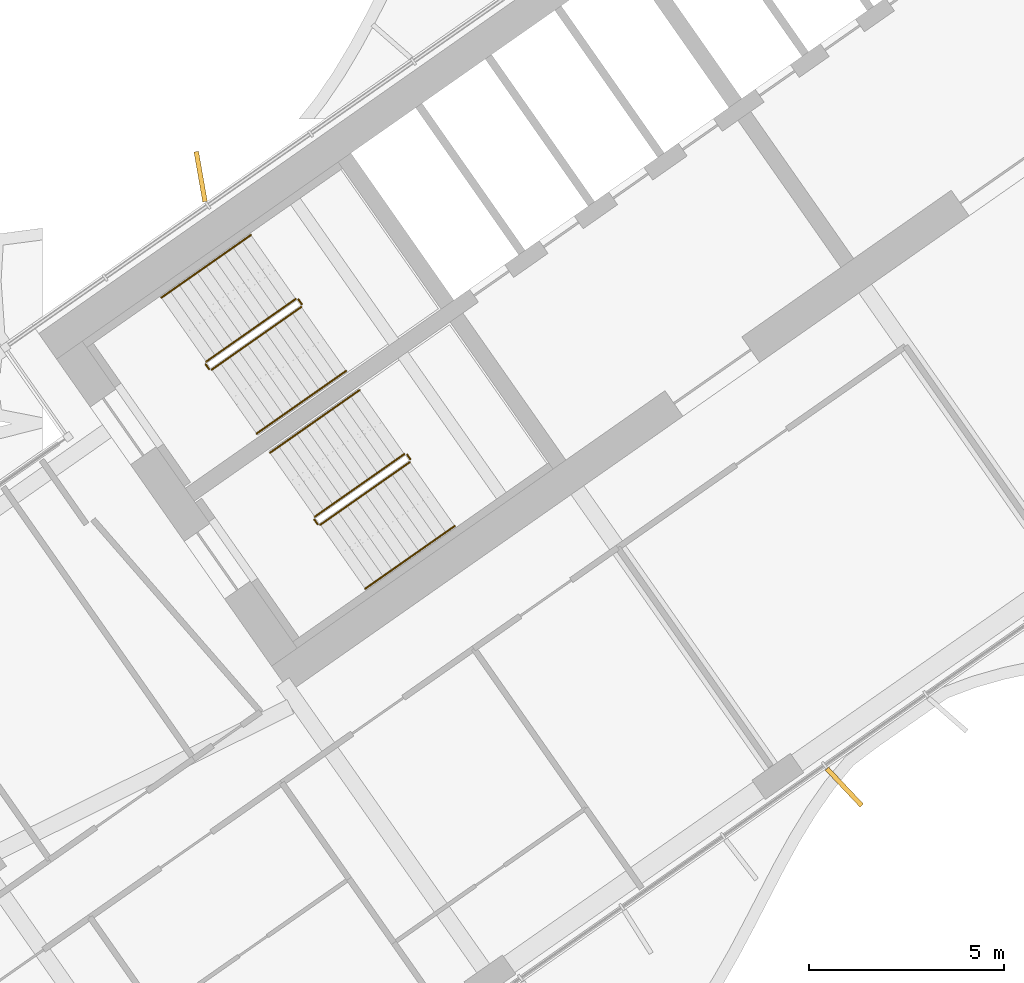
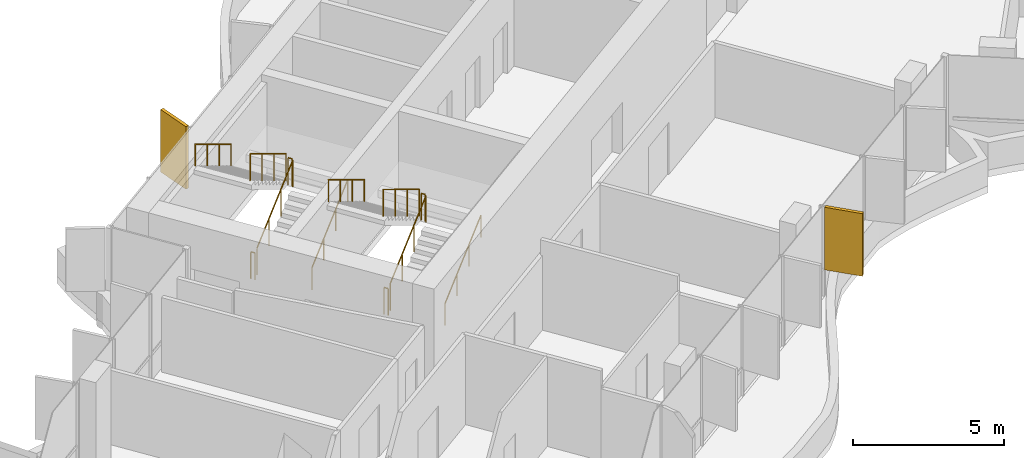
# One storey, part 18 of 21: 12 railings, 2 shading devices.
"""IFC4 building model written with IfcOpenShell, lengths in metres."""

import ifcopenshell
import ifcopenshell.guid

model = None  # the IFC model being written
_history = None  # IfcOwnerHistory: only IFC2X3 demands one
_inside = {}  # id of a spatial element -> (the spatial element, [elements in it])
_under = {}  # id of a project, library or spatial element -> (it, [spatial elements below it])
_declared = {}  # id of a project -> (the project, [libraries it declares])
_typed = {}  # id of a type object -> (the type object, [elements of that type])
_made_of = {}  # id of a material, layer set ... -> (it, [elements and type objects made of it])


def new_model(schema):
    """Start an empty IFC model of exactly this schema.

    Asked for "IFC4X3", IfcOpenShell would pick the latest addendum, in which some entities
    have other attributes; the version numbers below select the first issue.
    IFC2X3 requires an IfcOwnerHistory on every rooted entity: one is made here for all.
    """
    global model, _history
    if schema == "IFC4X3":
        model = ifcopenshell.file(schema_version=(4, 3, 0, 0))
    else:
        model = ifcopenshell.file(schema=schema)
    _inside.clear()
    _under.clear()
    _declared.clear()
    _typed.clear()
    _made_of.clear()
    _history = None
    if model.schema == "IFC2X3":
        org = make("IfcOrganization", Name="unknown")
        user = make(
            "IfcPersonAndOrganization",
            ThePerson=make("IfcPerson", FamilyName="unknown"),
            TheOrganization=org,
        )
        app = make(
            "IfcApplication",
            ApplicationDeveloper=org,
            Version="unknown",
            ApplicationFullName="unknown",
            ApplicationIdentifier="unknown",
        )
        _history = make(
            "IfcOwnerHistory",
            OwningUser=user,
            OwningApplication=app,
            ChangeAction="ADDED",
            CreationDate=0,
        )
    return model


def make(cls, **values):
    """One entity of the class cls with the attributes given. An attribute that is None is left unset."""
    return model.create_entity(
        cls, **{name: value for name, value in values.items() if value is not None}
    )


def rooted(cls, **values):
    """An entity with a GlobalId (a new one), such as an element, a storey or a relation."""
    return make(cls, GlobalId=ifcopenshell.guid.new(), OwnerHistory=_history, **values)


def si_unit(unit_type, name, prefix=None):
    """IfcSIUnit, for example si_unit("LENGTHUNIT", "METRE", prefix="MILLI")."""
    return make("IfcSIUnit", UnitType=unit_type, Prefix=prefix, Name=name)


def assignment(units):
    """IfcUnitAssignment: the units of a project."""
    return None if units is None else make("IfcUnitAssignment", Units=units)


def point(xyz):
    """IfcCartesianPoint."""
    return None if xyz is None else make("IfcCartesianPoint", Coordinates=xyz)


def direction(xyz):
    """IfcDirection."""
    return None if xyz is None else make("IfcDirection", DirectionRatios=xyz)


def frame(location, z_axis=None, x_axis=None):
    """IfcAxis2Placement3D, a coordinate frame: its origin and axes. An axis left out is left unset."""
    return make(
        "IfcAxis2Placement3D",
        Location=point(location),
        Axis=direction(z_axis),
        RefDirection=direction(x_axis),
    )


def frame_2d(location, x_axis=None):
    """IfcAxis2Placement2D, a coordinate frame in the plane: its origin and x axis."""
    return make(
        "IfcAxis2Placement2D", Location=point(location), RefDirection=direction(x_axis)
    )


def origin():
    """The frame at (0, 0, 0) with its axes left unset."""
    return frame((0.0, 0.0, 0.0))


def origin_2d():
    """The frame at (0, 0) in the plane with its x axis left unset."""
    return frame_2d((0.0, 0.0))


def place(relative_to, where):
    """IfcLocalPlacement: puts the frame where relative to a parent placement (None: the world)."""
    return make(
        "IfcLocalPlacement", PlacementRelTo=relative_to, RelativePlacement=where
    )


def context(
    kind, dimensions, precision=None, world=None, true_north=None, identifier=None
):
    """IfcGeometricRepresentationContext, for example the 3D "Model" context."""
    return make(
        "IfcGeometricRepresentationContext",
        ContextIdentifier=identifier,
        ContextType=kind,
        CoordinateSpaceDimension=dimensions,
        Precision=precision,
        WorldCoordinateSystem=world,
        TrueNorth=true_north,
    )


def subcontext(parent, identifier, kind, view, scale=None):
    """IfcGeometricRepresentationSubContext, for example "Body" below "Model"."""
    return make(
        "IfcGeometricRepresentationSubContext",
        ContextIdentifier=identifier,
        ContextType=kind,
        ParentContext=parent,
        TargetScale=scale,
        TargetView=view,
    )


def project(units=None, contexts=None):
    """IfcProject with its units and contexts."""
    return rooted(
        "IfcProject",
        Name="project",
        RepresentationContexts=contexts,
        UnitsInContext=assignment(units),
    )


def spatial(cls, under=None, at=None, **own):
    """A site, building, storey or space (cls), placed at a placement, below another one or the project."""
    s = rooted(cls, ObjectPlacement=at, **own)
    if under is not None:
        _under.setdefault(under.id(), (under, []))[1].append(s)
    return s


def profile(cls, at=None, kind="AREA", **sizes):
    """A parametric profile (cls). Its sizes go by their IFC names, for example OverallWidth=200.0."""
    return make(cls, ProfileType=kind, Position=at, **sizes)


def rectangle(**sizes):
    """IfcRectangleProfileDef."""
    return profile("IfcRectangleProfileDef", **sizes)


def circle(**sizes):
    """IfcCircleProfileDef."""
    return profile("IfcCircleProfileDef", **sizes)


def extrude(swept, where, along, depth):
    """IfcExtrudedAreaSolid: the profile swept, set in the frame where, extruded along a direction by depth."""
    return make(
        "IfcExtrudedAreaSolid",
        SweptArea=swept,
        Position=where,
        ExtrudedDirection=direction(along),
        Depth=depth,
    )


def shape(context_of_items, identifier, shape_type, items):
    """IfcShapeRepresentation: the items that make up one representation, for example the "Body"."""
    return make(
        "IfcShapeRepresentation",
        ContextOfItems=context_of_items,
        RepresentationIdentifier=identifier,
        RepresentationType=shape_type,
        Items=items,
    )


def material(Name=None, Category=None):
    """IfcMaterial."""
    return make("IfcMaterial", Name=Name, Category=Category)


def layer(
    of_material, thickness, ventilated=None, Name=None, Category=None, Priority=None
):
    """IfcMaterialLayer: one layer of a wall or slab, of a material (None: an air gap)."""
    return make(
        "IfcMaterialLayer",
        Material=of_material,
        LayerThickness=thickness,
        IsVentilated=ventilated,
        Name=Name,
        Category=Category,
        Priority=Priority,
    )


def layer_set(layers, Name=None):
    """IfcMaterialLayerSet."""
    return make("IfcMaterialLayerSet", MaterialLayers=layers, LayerSetName=Name)


def made_of(thing, what):
    """Note that an element or type object is made of a material, layer set ...; save() writes the relation."""
    if what is not None:
        _made_of.setdefault(what.id(), (what, []))[1].append(thing)
    return thing


def type_object(cls, material=None, **own):
    """A type object (cls), such as IfcWallType, which elements share."""
    return made_of(rooted(cls, **own), material)


def element(
    cls,
    number,
    at=None,
    inside=None,
    cuts=None,
    type_object=None,
    material=None,
    context=None,
    identifier="Body",
    shape_type=None,
    held_by="IfcProductDefinitionShape",
    body=None,
    shapes=None,
    **own,
):
    """One element of the class cls, such as IfcWall. Its Tag is "e" and its number.

    at: its placement. inside: the storey or other place that contains it. cuts: it is an
    opening in that element (IfcRelVoidsElement). A single representation is given by context,
    identifier, shape_type and body (its items); several are given by shapes. held_by: the class
    of the entity that holds the representations. save() writes the other relations.
    """
    e = rooted(cls, Tag="e%d" % number, ObjectPlacement=at, **own)
    if body is not None:
        shapes = [shape(context, identifier, shape_type, body)]
    if shapes is not None:
        e.Representation = make(held_by, Representations=shapes)
    if inside is not None:
        _inside.setdefault(inside.id(), (inside, []))[1].append(e)
    if cuts is not None:
        rooted(
            "IfcRelVoidsElement", RelatingBuildingElement=cuts, RelatedOpeningElement=e
        )
    if type_object is not None:
        _typed.setdefault(type_object.id(), (type_object, []))[1].append(e)
    return made_of(e, material)


def aggregate(whole, parts):
    """IfcRelAggregates: a whole, such as a stair, and the parts it consists of."""
    return rooted("IfcRelAggregates", RelatingObject=whole, RelatedObjects=parts)


def save(model, path):
    """Write the relations noted so far, then the file.

    IfcRelAggregates (storeys below a building ...), IfcRelContainedInSpatialStructure (elements
    in a storey), IfcRelDefinesByType, IfcRelAssociatesMaterial and IfcRelDeclares: one each for
    every whole, place, type object, material and project.
    """
    for whole, parts in _under.values():
        aggregate(whole, parts)
    for where, things in _inside.values():
        rooted(
            "IfcRelContainedInSpatialStructure",
            RelatedElements=things,
            RelatingStructure=where,
        )
    for kind, things in _typed.values():
        rooted("IfcRelDefinesByType", RelatedObjects=things, RelatingType=kind)
    for what, things in _made_of.values():
        rooted("IfcRelAssociatesMaterial", RelatedObjects=things, RelatingMaterial=what)
    for by, libraries in _declared.values():
        rooted("IfcRelDeclares", RelatingContext=by, RelatedDefinitions=libraries)
    model.write(path)


model = new_model("IFC4")

# Units and contexts
model_context = context("Model", 3, precision=1e-05, world=origin(), true_north=direction((0.0, 1.0)))
body_context = subcontext(model_context, "Body", "Model", "MODEL_VIEW")
ifc_project = project(units=[si_unit("LENGTHUNIT", "METRE"), si_unit("AREAUNIT", "SQUARE_METRE"), si_unit("VOLUMEUNIT", "CUBIC_METRE"), si_unit("PLANEANGLEUNIT", "RADIAN"), si_unit("MASSUNIT", "GRAM", prefix="KILO")], contexts=[model_context])

# Site, building, storey
site_placement = place(None, origin())
site = spatial("IfcSite", under=ifc_project, at=site_placement, CompositionType="ELEMENT")
building_placement = place(site_placement, origin())
building = spatial("IfcBuilding", under=site, at=building_placement, Name="Tel Ilan Convention Tower", CompositionType="ELEMENT")
storey_placement = place(building_placement, frame((0.0, 0.0, 139.800048828125)))
storey = spatial("IfcBuildingStorey", under=building, at=storey_placement, Name="L31", CompositionType="ELEMENT", Elevation=139.800048828125)

# Shading devices
ifc_material_1 = material(Name="Aluminium, bronze anodised", Category="aluminium")
ifc_layer = layer(ifc_material_1, 0.1201171875)
ifc_layer_set = layer_set([ifc_layer], Name="FIN BRONZE 1300x120")
shading_device_type = type_object("IfcShadingDeviceType", Name="FIN BRONZE 1300x120", PredefinedType="USERDEFINED", material=ifc_layer_set)
for number, where, z_axis, x_axis, name in (
    (1, (-23.82080078125, -3.11181640625, 1.099853515625), (0.0, 0.0, 1.0), (-0.173648177667, 0.984807753012, 0.0), "FIN"),
    (2, (-7.33447265625, -18.748779296875, 1.099853515625), (0.0, 0.0, 1.0), (0.686241637865, -0.727373641577, 0.0), "FIN"),
):
    element("IfcShadingDevice", number, at=place(storey_placement, frame(where, z_axis=z_axis, x_axis=x_axis)), inside=storey, type_object=shading_device_type, Name=name, ObjectType="FIN", PredefinedType="USERDEFINED", context=body_context, shape_type="SweptSolid", body=[
        extrude(rectangle(XDim=1.300048828125, YDim=0.1201171875, at=origin_2d()), origin(), (0.0, 0.0, 1.0), 2.52001953125),
    ])

# Railings
ifc_material_2 = material(Name="Stainless Steel Grade 316", Category="steel")
railing_type_1 = type_object("IfcRailingType", Name="Stainless Steel Stair Guard 1100 mm", PredefinedType="GUARDRAIL", material=ifc_material_2)
railing_1_placement = place(storey_placement, frame((-23.535400390625, -8.056396484375, 0.17724609375)))
element("IfcRailing", 3, at=railing_1_placement, inside=storey, type_object=railing_type_1, Name="L31 S1 stair guard 1", PredefinedType="GUARDRAIL", context=body_context, shape_type="SweptSolid", body=[
    extrude(circle(Radius=0.02392578125, at=origin_2d()), frame((0.0, 0.0, 1.076171875), z_axis=(0.692098378994, 0.484653031975, 0.534893701956), x_axis=(-0.573608623498, 0.819129505664, 0.0)), (0.0, 0.0, 1.0), 3.314208984375),
    extrude(circle(Radius=0.02099609375, at=origin_2d()), origin(), (0.0, 0.0, 1.0), 1.052001953125),
    extrude(circle(Radius=0.02099609375, at=origin_2d()), frame((0.7646484375, 0.535400390625, 0.5908203125)), (0.0, 0.0, 1.0), 1.052001953125),
    extrude(circle(Radius=0.02099609375, at=origin_2d()), frame((1.529052734375, 1.07080078125, 1.181884765625)), (0.0, 0.0, 1.0), 1.052001953125),
    extrude(circle(Radius=0.02099609375, at=origin_2d()), frame((2.293701171875, 1.606201171875, 1.772705078125)), (0.0, 0.0, 1.0), 1.052001953125),
])
railing_2_placement = place(storey_placement, frame((-21.2294921875, -6.380615234375, 1.949951171875)))
element("IfcRailing", 4, at=railing_2_placement, inside=storey, type_object=railing_type_1, Name="L31 S1 stair guard 2", PredefinedType="GUARDRAIL", context=body_context, shape_type="SweptSolid", body=[
    extrude(circle(Radius=0.02392578125, at=origin_2d()), frame((0.0, 0.0, 1.076171875), z_axis=(-0.573353020881, 0.819308436089, 0.0), x_axis=(-0.819308436089, -0.573353020881, 0.0)), (0.0, 0.0, 1.0), 0.14990234375),
    extrude(circle(Radius=0.02099609375, at=origin_2d()), origin(), (0.0, 0.0, 1.0), 1.052001953125),
    extrude(circle(Radius=0.02099609375, at=origin_2d()), frame((-0.0859375, 0.122802734375, 0.0)), (0.0, 0.0, 1.0), 1.052001953125),
])
railing_3_placement = place(storey_placement, frame((-21.38525390625, -6.24560546875, 2.127197265625)))
element("IfcRailing", 5, at=railing_3_placement, inside=storey, type_object=railing_type_1, Name="L31 S1 stair guard 3", PredefinedType="GUARDRAIL", context=body_context, shape_type="SweptSolid", body=[
    extrude(circle(Radius=0.02392578125, at=origin_2d()), frame((0.0, 0.0, 1.076171875), z_axis=(-0.692084706163, -0.484621375041, 0.534940073605), x_axis=(0.573591086599, -0.819141785879, 0.0)), (0.0, 0.0, 1.0), 3.313720703125),
    extrude(circle(Radius=0.02099609375, at=origin_2d()), origin(), (0.0, 0.0, 1.0), 1.052001953125),
    extrude(circle(Radius=0.02099609375, at=origin_2d()), frame((-0.764404296875, -0.535400390625, 0.5908203125)), (0.0, 0.0, 1.0), 1.052001953125),
    extrude(circle(Radius=0.02099609375, at=origin_2d()), frame((-1.529052734375, -1.070556640625, 1.181884765625)), (0.0, 0.0, 1.0), 1.052001953125),
    extrude(circle(Radius=0.02099609375, at=origin_2d()), frame((-2.29345703125, -1.60595703125, 1.772705078125)), (0.0, 0.0, 1.0), 1.052001953125),
])
railing_4_placement = place(storey_placement, frame((-23.60498046875, -8.0439453125, 0.0)))
element("IfcRailing", 6, at=railing_4_placement, inside=storey, type_object=railing_type_1, Name="L31 S1 stair guard 4", PredefinedType="GUARDRAIL", context=body_context, shape_type="SweptSolid", body=[
    extrude(circle(Radius=0.02392578125, at=origin_2d()), frame((0.0, 0.0, 1.076171875), z_axis=(-0.574444878118, 0.818543268254, 0.0), x_axis=(-0.818543268254, -0.574444878118, 0.0)), (0.0, 0.0, 1.0), 0.150146484375),
    extrude(circle(Radius=0.02099609375, at=origin_2d()), origin(), (0.0, 0.0, 1.0), 1.052001953125),
    extrude(circle(Radius=0.02099609375, at=origin_2d()), frame((-0.086181640625, 0.122802734375, 0.0)), (0.0, 0.0, 1.0), 1.052001953125),
])
railing_5_placement = place(storey_placement, frame((-20.753662109375, -12.029296875, 0.17724609375)))
element("IfcRailing", 7, at=railing_5_placement, inside=storey, type_object=railing_type_1, Name="L31 S2 stair guard 1", PredefinedType="GUARDRAIL", context=body_context, shape_type="SweptSolid", body=[
    extrude(circle(Radius=0.02392578125, at=origin_2d()), frame((0.0, 0.0, 1.076171875), z_axis=(0.692098378994, 0.484653031975, 0.534893701956), x_axis=(-0.573608623498, 0.819129505664, 0.0)), (0.0, 0.0, 1.0), 3.314208984375),
    extrude(circle(Radius=0.02099609375, at=origin_2d()), origin(), (0.0, 0.0, 1.0), 1.052001953125),
    extrude(circle(Radius=0.02099609375, at=origin_2d()), frame((0.7646484375, 0.535400390625, 0.5908203125)), (0.0, 0.0, 1.0), 1.052001953125),
    extrude(circle(Radius=0.02099609375, at=origin_2d()), frame((1.529052734375, 1.07080078125, 1.181884765625)), (0.0, 0.0, 1.0), 1.052001953125),
    extrude(circle(Radius=0.02099609375, at=origin_2d()), frame((2.293701171875, 1.606201171875, 1.772705078125)), (0.0, 0.0, 1.0), 1.052001953125),
])
railing_6_placement = place(storey_placement, frame((-18.44775390625, -10.353515625, 1.949951171875)))
element("IfcRailing", 8, at=railing_6_placement, inside=storey, type_object=railing_type_1, Name="L31 S2 stair guard 2", PredefinedType="GUARDRAIL", context=body_context, shape_type="SweptSolid", body=[
    extrude(circle(Radius=0.02392578125, at=origin_2d()), frame((0.0, 0.0, 1.076171875), z_axis=(-0.573353020881, 0.819308436089, 0.0), x_axis=(-0.819308436089, -0.573353020881, 0.0)), (0.0, 0.0, 1.0), 0.14990234375),
    extrude(circle(Radius=0.02099609375, at=origin_2d()), origin(), (0.0, 0.0, 1.0), 1.052001953125),
    extrude(circle(Radius=0.02099609375, at=origin_2d()), frame((-0.0859375, 0.122802734375, 0.0)), (0.0, 0.0, 1.0), 1.052001953125),
])
railing_7_placement = place(storey_placement, frame((-18.603271484375, -10.218505859375, 2.127197265625)))
element("IfcRailing", 9, at=railing_7_placement, inside=storey, type_object=railing_type_1, Name="L31 S2 stair guard 3", PredefinedType="GUARDRAIL", context=body_context, shape_type="SweptSolid", body=[
    extrude(circle(Radius=0.02392578125, at=origin_2d()), frame((0.0, 0.0, 1.076171875), z_axis=(-0.692123088272, -0.484596665743, 0.534912798717), x_axis=(0.573550118428, -0.819170471667, 0.0)), (0.0, 0.0, 1.0), 3.31396484375),
    extrude(circle(Radius=0.02099609375, at=origin_2d()), origin(), (0.0, 0.0, 1.0), 1.052001953125),
    extrude(circle(Radius=0.02099609375, at=origin_2d()), frame((-0.7646484375, -0.535400390625, 0.5908203125)), (0.0, 0.0, 1.0), 1.052001953125),
    extrude(circle(Radius=0.02099609375, at=origin_2d()), frame((-1.529052734375, -1.070556640625, 1.181884765625)), (0.0, 0.0, 1.0), 1.052001953125),
    extrude(circle(Radius=0.02099609375, at=origin_2d()), frame((-2.293701171875, -1.60595703125, 1.772705078125)), (0.0, 0.0, 1.0), 1.052001953125),
])
railing_8_placement = place(storey_placement, frame((-20.8232421875, -12.016845703125, 0.0)))
element("IfcRailing", 10, at=railing_8_placement, inside=storey, type_object=railing_type_1, Name="L31 S2 stair guard 4", PredefinedType="GUARDRAIL", context=body_context, shape_type="SweptSolid", body=[
    extrude(circle(Radius=0.02392578125, at=origin_2d()), frame((0.0, 0.0, 1.076171875), z_axis=(-0.573353020881, 0.819308436089, 0.0), x_axis=(-0.819308436089, -0.573353020881, 0.0)), (0.0, 0.0, 1.0), 0.14990234375),
    extrude(circle(Radius=0.02099609375, at=origin_2d()), origin(), (0.0, 0.0, 1.0), 1.052001953125),
    extrude(circle(Radius=0.02099609375, at=origin_2d()), frame((-0.0859375, 0.122802734375, 0.0)), (0.0, 0.0, 1.0), 1.052001953125),
])
ifc_material_3 = material(Name="Stainless Steel Grade 316", Category="steel")
railing_type_2 = type_object("IfcRailingType", Name="Stainless Steel Stair Handrail 900 mm", PredefinedType="HANDRAIL", material=ifc_material_3)
railing_9_placement = place(storey_placement, frame((-22.38818359375, -9.694580078125, 0.17724609375)))
element("IfcRailing", 11, at=railing_9_placement, inside=storey, type_object=railing_type_2, Name="L31 S1 stair handrail 1", PredefinedType="HANDRAIL", context=body_context, shape_type="SweptSolid", body=[
    extrude(circle(Radius=0.02392578125, at=origin_2d()), frame((0.0, 0.0, 0.8759765625), z_axis=(0.692084706163, 0.484621375041, 0.534940073605), x_axis=(-0.573591086599, 0.819141785879, 0.0)), (0.0, 0.0, 1.0), 3.313720703125),
    extrude(circle(Radius=0.02099609375, at=origin_2d()), origin(), (0.0, 0.0, 1.0), 0.851806640625),
    extrude(circle(Radius=0.02099609375, at=origin_2d()), frame((0.764404296875, 0.535400390625, 0.5908203125)), (0.0, 0.0, 1.0), 0.851806640625),
    extrude(circle(Radius=0.02099609375, at=origin_2d()), frame((1.529052734375, 1.070556640625, 1.181884765625)), (0.0, 0.0, 1.0), 0.851806640625),
    extrude(circle(Radius=0.02099609375, at=origin_2d()), frame((2.29345703125, 1.60595703125, 1.772705078125)), (0.0, 0.0, 1.0), 0.851806640625),
])
railing_10_placement = place(storey_placement, frame((-22.5322265625, -4.607177734375, 2.127197265625)))
element("IfcRailing", 12, at=railing_10_placement, inside=storey, type_object=railing_type_2, Name="L31 S1 stair handrail 2", PredefinedType="HANDRAIL", context=body_context, shape_type="SweptSolid", body=[
    extrude(circle(Radius=0.02392578125, at=origin_2d()), frame((0.0, 0.0, 0.8759765625), z_axis=(-0.692123088272, -0.484596665743, 0.534912798717), x_axis=(0.573550118428, -0.819170471667, 0.0)), (0.0, 0.0, 1.0), 3.31396484375),
    extrude(circle(Radius=0.02099609375, at=origin_2d()), origin(), (0.0, 0.0, 1.0), 0.851806640625),
    extrude(circle(Radius=0.02099609375, at=origin_2d()), frame((-0.7646484375, -0.535400390625, 0.5908203125)), (0.0, 0.0, 1.0), 0.851806640625),
    extrude(circle(Radius=0.02099609375, at=origin_2d()), frame((-1.529052734375, -1.070556640625, 1.181884765625)), (0.0, 0.0, 1.0), 0.851806640625),
    extrude(circle(Radius=0.02099609375, at=origin_2d()), frame((-2.293701171875, -1.60595703125, 1.772705078125)), (0.0, 0.0, 1.0), 0.851806640625),
])
railing_11_placement = place(storey_placement, frame((-19.6064453125, -13.66748046875, 0.17724609375)))
element("IfcRailing", 13, at=railing_11_placement, inside=storey, type_object=railing_type_2, Name="L31 S2 stair handrail 1", PredefinedType="HANDRAIL", context=body_context, shape_type="SweptSolid", body=[
    extrude(circle(Radius=0.02392578125, at=origin_2d()), frame((0.0, 0.0, 0.8759765625), z_axis=(0.692123088272, 0.484596665743, 0.534912798717), x_axis=(-0.573550118428, 0.819170471667, 0.0)), (0.0, 0.0, 1.0), 3.31396484375),
    extrude(circle(Radius=0.02099609375, at=origin_2d()), origin(), (0.0, 0.0, 1.0), 0.851806640625),
    extrude(circle(Radius=0.02099609375, at=origin_2d()), frame((0.7646484375, 0.535400390625, 0.5908203125)), (0.0, 0.0, 1.0), 0.851806640625),
    extrude(circle(Radius=0.02099609375, at=origin_2d()), frame((1.529052734375, 1.070556640625, 1.181884765625)), (0.0, 0.0, 1.0), 0.851806640625),
    extrude(circle(Radius=0.02099609375, at=origin_2d()), frame((2.293701171875, 1.60595703125, 1.772705078125)), (0.0, 0.0, 1.0), 0.851806640625),
])
railing_12_placement = place(storey_placement, frame((-19.75048828125, -8.580078125, 2.127197265625)))
element("IfcRailing", 14, at=railing_12_placement, inside=storey, type_object=railing_type_2, Name="L31 S2 stair handrail 2", PredefinedType="HANDRAIL", context=body_context, shape_type="SweptSolid", body=[
    extrude(circle(Radius=0.02392578125, at=origin_2d()), frame((0.0, 0.0, 0.8759765625), z_axis=(-0.692123088272, -0.484596665743, 0.534912798717), x_axis=(0.573550118428, -0.819170471667, 0.0)), (0.0, 0.0, 1.0), 3.31396484375),
    extrude(circle(Radius=0.02099609375, at=origin_2d()), origin(), (0.0, 0.0, 1.0), 0.851806640625),
    extrude(circle(Radius=0.02099609375, at=origin_2d()), frame((-0.7646484375, -0.535400390625, 0.5908203125)), (0.0, 0.0, 1.0), 0.851806640625),
    extrude(circle(Radius=0.02099609375, at=origin_2d()), frame((-1.529052734375, -1.070556640625, 1.181884765625)), (0.0, 0.0, 1.0), 0.851806640625),
    extrude(circle(Radius=0.02099609375, at=origin_2d()), frame((-2.293701171875, -1.60595703125, 1.772705078125)), (0.0, 0.0, 1.0), 0.851806640625),
])

save(model, "model.ifc")
